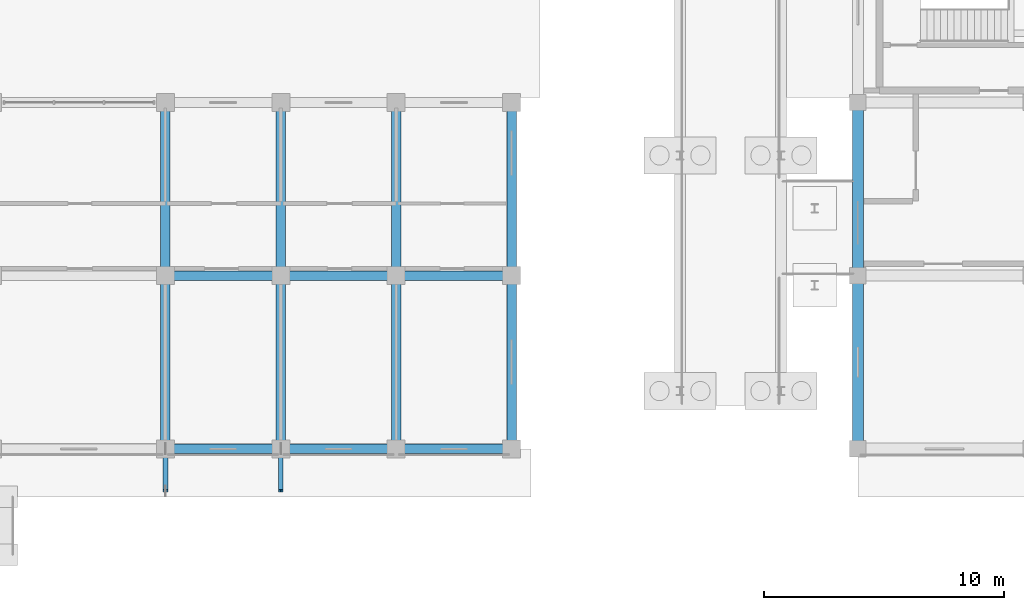
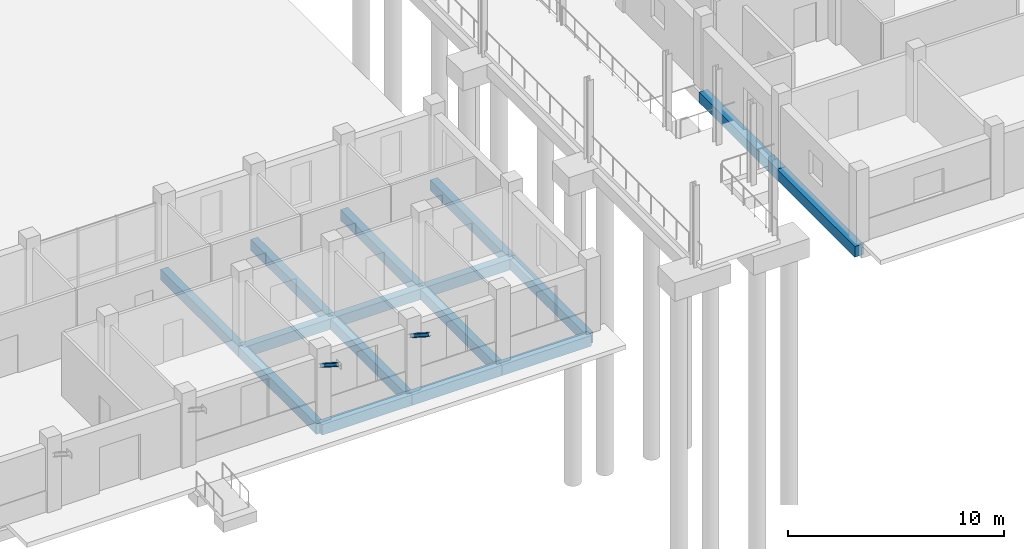
# One storey, part 21 of 98: 16 beams, 2 members.
"""IFC4 building model written with IfcOpenShell, lengths in metres."""

from ifc_helpers import new_model, si_unit, direction, frame, origin, origin_2d, place, context, subcontext, project, spatial, rectangle, i_section, extrude, material, material_profile, profile_set, type_object, element, save


model = new_model("IFC4")

# Units and contexts
model_context = context("Model", 3, precision=1e-05, world=origin(), true_north=direction((0.0, 1.0)))
body_context = subcontext(model_context, "Body", "Model", "MODEL_VIEW")
ifc_project = project(units=[si_unit("LENGTHUNIT", "METRE"), si_unit("AREAUNIT", "SQUARE_METRE"), si_unit("VOLUMEUNIT", "CUBIC_METRE"), si_unit("PLANEANGLEUNIT", "RADIAN"), si_unit("MASSUNIT", "GRAM", prefix="KILO")], contexts=[model_context])

# Site, building, storey
site_placement = place(None, origin())
site = spatial("IfcSite", under=ifc_project, at=site_placement, CompositionType="ELEMENT")
building_placement = place(site_placement, origin())
building = spatial("IfcBuilding", under=site, at=building_placement, Name="Zornivar Specialist Clinic", CompositionType="ELEMENT")
storey_placement = place(building_placement, origin())
storey = spatial("IfcBuildingStorey", under=building, at=storey_placement, Name="L00", CompositionType="ELEMENT", Elevation=0.0)

# Beams
ifc_material_1 = material(Name="Concrete C30/37", Category="concrete")
ifc_material_profile_1 = material_profile(ifc_material_1, rectangle(XDim=0.39990234375, YDim=0.60009765625, at=origin_2d()), Name="RC 400x600")
ifc_profile_set_1 = profile_set([ifc_material_profile_1], Name="Concrete C30/37")
beam_type_1 = type_object("IfcBeamType", Name="BM-RC-400x600", PredefinedType="BEAM", material=ifc_profile_set_1)
beam_1_placement = place(storey_placement, frame((28.800048828125, 7.199951171875, -0.580078125), z_axis=(1.0, 0.0, 0.0), x_axis=(0.0, 1.0, 0.0)))
element("IfcBeam", 1, at=beam_1_placement, inside=storey, type_object=beam_type_1, Name="bm:V2:L00:x:72:4", PredefinedType="BEAM", context=body_context, shape_type="SweptSolid", body=[
    extrude(rectangle(XDim=0.39990234375, YDim=0.60009765625, at=origin_2d()), origin(), (0.0, 0.0, 1.0), 4.800048828125),
])
beam_2_placement = place(storey_placement, frame((33.60009765625, 7.199951171875, -0.580078125), z_axis=(1.0, 0.0, 0.0), x_axis=(0.0, 1.0, 0.0)))
element("IfcBeam", 2, at=beam_2_placement, inside=storey, type_object=beam_type_1, Name="bm:V2:L00:x:72:5", PredefinedType="BEAM", context=body_context, shape_type="SweptSolid", body=[
    extrude(rectangle(XDim=0.39990234375, YDim=0.60009765625, at=origin_2d()), origin(), (0.0, 0.0, 1.0), 4.7998046875),
])
beam_3_placement = place(storey_placement, frame((38.39990234375, 7.199951171875, -0.580078125), z_axis=(1.0, 0.0, 0.0), x_axis=(0.0, 1.0, 0.0)))
element("IfcBeam", 3, at=beam_3_placement, inside=storey, type_object=beam_type_1, Name="bm:V2:L00:x:72:6", PredefinedType="BEAM", context=body_context, shape_type="SweptSolid", body=[
    extrude(rectangle(XDim=0.39990234375, YDim=0.60009765625, at=origin_2d()), origin(), (0.0, 0.0, 1.0), 4.800048828125),
])
for number, where, z_axis, x_axis, name in (
    (4, (28.800048828125, 0.0, -0.580078125), (0.0, 1.0, 0.0), (-1.0, 0.0, 0.0), "bm:V2:L00:y:288:0"),
    (5, (28.800048828125, 7.199951171875, -0.580078125), (0.0, 1.0, 0.0), (-1.0, 0.0, 0.0), "bm:V2:L00:y:288:1"),
    (6, (33.60009765625, 0.0, -0.580078125), (0.0, 1.0, 0.0), (-1.0, 0.0, 0.0), "bm:V2:L00:y:336:0"),
    (7, (33.60009765625, 7.199951171875, -0.580078125), (0.0, 1.0, 0.0), (-1.0, 0.0, 0.0), "bm:V2:L00:y:336:1"),
    (8, (38.39990234375, 0.0, -0.580078125), (0.0, 1.0, 0.0), (-1.0, 0.0, 0.0), "bm:V2:L00:y:384:0"),
    (9, (38.39990234375, 7.199951171875, -0.580078125), (0.0, 1.0, 0.0), (-1.0, 0.0, 0.0), "bm:V2:L00:y:384:1"),
):
    element("IfcBeam", number, at=place(storey_placement, frame(where, z_axis=z_axis, x_axis=x_axis)), inside=storey, type_object=beam_type_1, Name=name, PredefinedType="BEAM", context=body_context, shape_type="SweptSolid", body=[
        extrude(rectangle(XDim=0.39990234375, YDim=0.60009765625, at=origin_2d()), origin(), (0.0, 0.0, 1.0), 7.199951171875),
    ])
ifc_material_2 = material(Name="Concrete C30/37", Category="concrete")
ifc_material_profile_2 = material_profile(ifc_material_2, rectangle(XDim=0.389892578125, YDim=0.60009765625, at=origin_2d()), Name="RC 390x600")
ifc_profile_set_2 = profile_set([ifc_material_profile_2], Name="Concrete C30/37")
beam_type_2 = type_object("IfcBeamType", Name="BM-RC-SPANDREL-390x600", PredefinedType="SPANDREL", material=ifc_profile_set_2)
beam_4_placement = place(storey_placement, frame((28.800048828125, 0.0, -0.580078125), z_axis=(1.0, 0.0, 0.0), x_axis=(0.0, 1.0, 0.0)))
element("IfcBeam", 10, at=beam_4_placement, inside=storey, type_object=beam_type_2, Name="bm:V2:L00:x:0:4", PredefinedType="SPANDREL", context=body_context, shape_type="SweptSolid", body=[
    extrude(rectangle(XDim=0.389892578125, YDim=0.60009765625, at=origin_2d()), origin(), (0.0, 0.0, 1.0), 4.800048828125),
])
beam_5_placement = place(storey_placement, frame((33.60009765625, 0.0, -0.580078125), z_axis=(1.0, 0.0, 0.0), x_axis=(0.0, 1.0, 0.0)))
element("IfcBeam", 11, at=beam_5_placement, inside=storey, type_object=beam_type_2, Name="bm:V2:L00:x:0:5", PredefinedType="SPANDREL", context=body_context, shape_type="SweptSolid", body=[
    extrude(rectangle(XDim=0.389892578125, YDim=0.60009765625, at=origin_2d()), origin(), (0.0, 0.0, 1.0), 4.7998046875),
])
beam_6_placement = place(storey_placement, frame((38.39990234375, 0.0, -0.580078125), z_axis=(1.0, 0.0, 0.0), x_axis=(0.0, 1.0, 0.0)))
element("IfcBeam", 12, at=beam_6_placement, inside=storey, type_object=beam_type_2, Name="bm:V2:L00:x:0:6", PredefinedType="SPANDREL", context=body_context, shape_type="SweptSolid", body=[
    extrude(rectangle(XDim=0.389892578125, YDim=0.60009765625, at=origin_2d()), origin(), (0.0, 0.0, 1.0), 4.800048828125),
])
for number, where, z_axis, x_axis, name in (
    (13, (43.199951171875, 0.0, -0.580078125), (0.0, 1.0, 0.0), (-1.0, 0.0, 0.0), "bm:V2:L00:y:432:0"),
    (14, (43.199951171875, 7.199951171875, -0.580078125), (0.0, 1.0, 0.0), (-1.0, 0.0, 0.0), "bm:V2:L00:y:432:1"),
):
    element("IfcBeam", number, at=place(storey_placement, frame(where, z_axis=z_axis, x_axis=x_axis)), inside=storey, type_object=beam_type_2, Name=name, PredefinedType="SPANDREL", context=body_context, shape_type="SweptSolid", body=[
        extrude(rectangle(XDim=0.389892578125, YDim=0.60009765625, at=origin_2d()), origin(), (0.0, 0.0, 1.0), 7.199951171875),
    ])
ifc_material_3 = material(Name="Concrete C30/37", Category="concrete")
ifc_material_profile_3 = material_profile(ifc_material_3, rectangle(XDim=0.4599609375, YDim=0.60009765625, at=origin_2d()), Name="RC 460x600")
ifc_profile_set_3 = profile_set([ifc_material_profile_3], Name="Concrete C30/37")
beam_type_3 = type_object("IfcBeamType", Name="BM-RC-SPANDREL-460x600", PredefinedType="SPANDREL", material=ifc_profile_set_3)
for number, where, z_axis, x_axis, name in (
    (15, (57.60009765625, 0.0, -0.64990234375), (0.0, 1.0, 0.0), (-1.0, 0.0, 0.0), "bm:V3:L00:y:576:0"),
    (16, (57.60009765625, 7.199951171875, -0.64990234375), (0.0, 1.0, 0.0), (-1.0, 0.0, 0.0), "bm:V3:L00:y:576:1"),
):
    element("IfcBeam", number, at=place(storey_placement, frame(where, z_axis=z_axis, x_axis=x_axis)), inside=storey, type_object=beam_type_3, Name=name, PredefinedType="SPANDREL", context=body_context, shape_type="SweptSolid", body=[
        extrude(rectangle(XDim=0.4599609375, YDim=0.60009765625, at=origin_2d()), origin(), (0.0, 0.0, 1.0), 7.199951171875),
    ])

# Members
ifc_material_4 = material(Name="Steel S355J2", Category="steel")
ifc_material_profile_4 = material_profile(ifc_material_4, i_section(OverallWidth=0.199951171875, OverallDepth=0.18994140625, WebThickness=0.006591796875, FlangeThickness=0.010009765625, FilletRadius=0.01806640625, at=origin_2d()), Name="HEA 200")
ifc_profile_set_4 = profile_set([ifc_material_profile_4], Name="Steel S355J2")
member_type = type_object("IfcMemberType", Name="MEM-CANOPY-HEA200", PredefinedType="MEMBER", material=ifc_profile_set_4)
for number, where, z_axis, x_axis, name in (
    (17, (28.800048828125, 0.0, 2.949951171875), (0.0, -0.842245792271, 0.539093707441), (1.0, 0.0, 0.0), "mem:CAN:L00:strut:288"),
    (18, (33.60009765625, 0.0, 2.949951171875), (0.0, -0.842245792271, 0.539093707441), (1.0, 0.0, 0.0), "mem:CAN:L00:strut:336"),
):
    element("IfcMember", number, at=place(storey_placement, frame(where, z_axis=z_axis, x_axis=x_axis)), inside=storey, type_object=member_type, Name=name, PredefinedType="MEMBER", context=body_context, shape_type="SweptSolid", body=[
        extrude(i_section(OverallWidth=0.199951171875, OverallDepth=0.18994140625, WebThickness=0.006591796875, FlangeThickness=0.010009765625, FilletRadius=0.01806640625, at=origin_2d()), origin(), (0.0, 0.0, 1.0), 2.077880859375),
    ])

save(model, "model.ifc")
